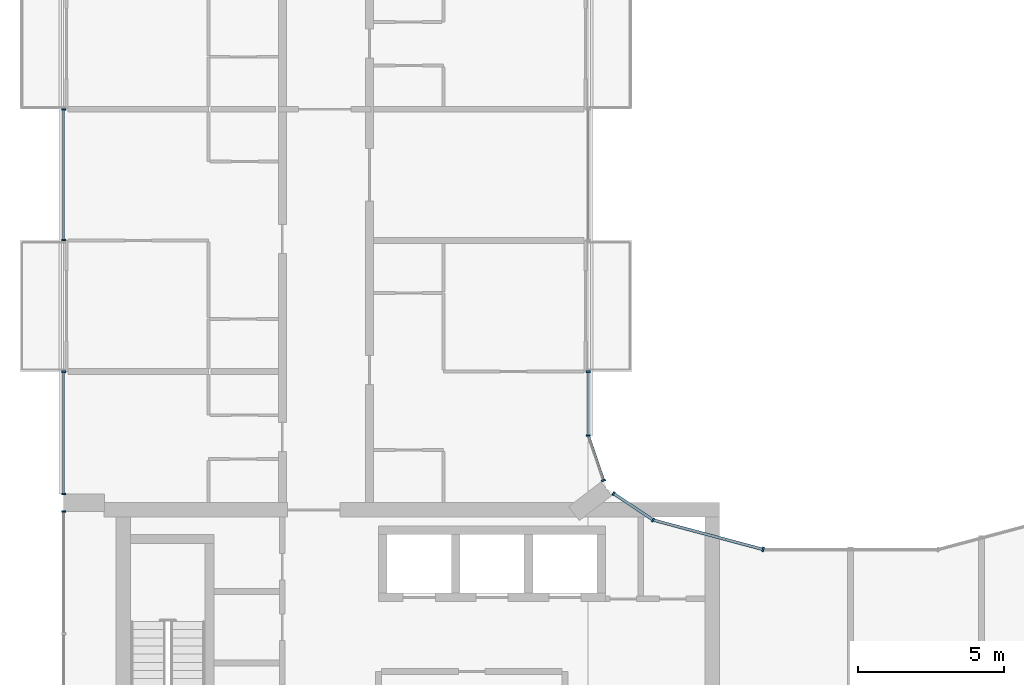
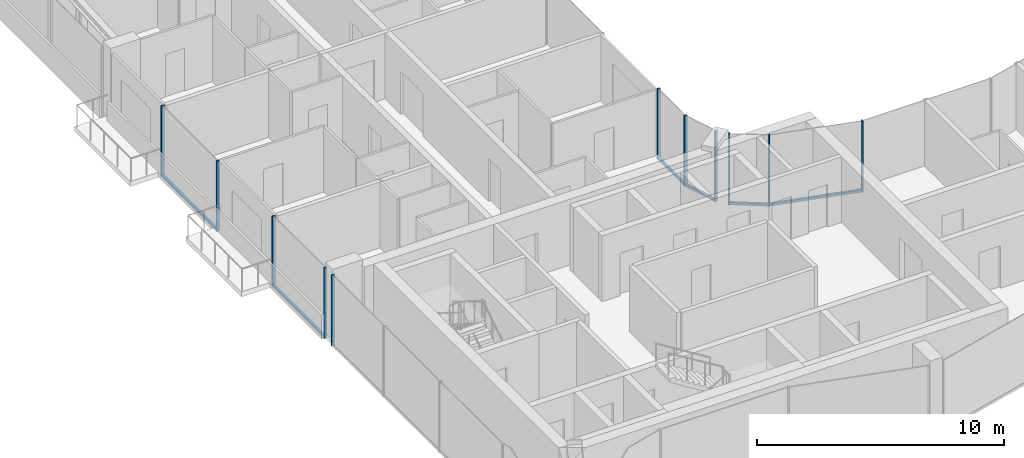
# One storey, part 4 of 17: 17 members, 7 elements without a shape of their own.
"""IFC4 building model written with IfcOpenShell, lengths in metres."""

from ifc_helpers import new_model, si_unit, direction, frame, origin, origin_2d, place, context, subcontext, project, spatial, rectangle, extrude, material, layer, layer_set, material_profile, profile_set, type_object, element, aggregate, save


model = new_model("IFC4")

# Units and contexts
model_context = context("Model", 3, precision=1e-05, world=origin(), true_north=direction((0.0, 1.0)))
body_context = subcontext(model_context, "Body", "Model", "MODEL_VIEW")
ifc_project = project(units=[si_unit("LENGTHUNIT", "METRE"), si_unit("AREAUNIT", "SQUARE_METRE"), si_unit("VOLUMEUNIT", "CUBIC_METRE"), si_unit("PLANEANGLEUNIT", "RADIAN"), si_unit("MASSUNIT", "GRAM", prefix="KILO")], contexts=[model_context])

# Site, building, storey
site_placement = place(None, origin())
site = spatial("IfcSite", under=ifc_project, at=site_placement, CompositionType="ELEMENT")
building_placement = place(site_placement, origin())
building = spatial("IfcBuilding", under=site, at=building_placement, Name="Plateau Cross Towers", CompositionType="ELEMENT")
storey_placement = place(building_placement, frame((0.0, 0.0, 222.39990234375)))
storey = spatial("IfcBuildingStorey", under=building, at=storey_placement, Name="L58", CompositionType="ELEMENT", Elevation=222.39990234375)

# Curtain wall, members
ifc_material_1 = material(Name="Dark low-iron glass", Category="glass")
ifc_layer_1 = layer(ifc_material_1, 0.239990234375)
ifc_layer_set_1 = layer_set([ifc_layer_1], Name="Dark low-iron glass")
curtain_wall_type_1 = type_object("IfcCurtainWallType", Name="Curtain wall flush unitised CW-B", PredefinedType="NOTDEFINED", material=ifc_layer_set_1)
curtain_wall_1_placement = place(storey_placement, origin())
curtain_wall_1 = element("IfcCurtainWall", 1, at=curtain_wall_1_placement, inside=storey, type_object=curtain_wall_type_1, Name="ENV/A/L58/A202_174", PredefinedType="NOTDEFINED")
ifc_material_2 = material(Name="Black anodised aluminium", Category="aluminium")
ifc_material_profile_1 = material_profile(ifc_material_2, rectangle(XDim=0.06005859375, YDim=0.139892578125, at=origin_2d()), Name="MULLION 60x140")
ifc_profile_set_1 = profile_set([ifc_material_profile_1], Name="Black anodised aluminium")
member_type_1 = type_object("IfcMemberType", Name="Mullion 60x140 flush unitised", PredefinedType="MULLION", material=ifc_profile_set_1)
member_1_placement = place(storey_placement, frame((20.223876953125, 17.404296875, -0.25), z_axis=(0.0, 0.0, 1.0), x_axis=(-0.831521253329, 0.555492938984, 0.0)))
member_1 = element("IfcMember", 2, at=member_1_placement, type_object=member_type_1, Name="CW-B mullion 1", PredefinedType="MULLION", context=body_context, shape_type="SweptSolid", body=[
    extrude(rectangle(XDim=0.06005859375, YDim=0.139892578125, at=origin_2d()), origin(), (0.0, 0.0, 1.0), 3.5),
])
member_2_placement = place(storey_placement, frame((18.86962890625, 18.30908203125, -0.25), z_axis=(0.0, 0.0, 1.0), x_axis=(-0.831521253329, 0.555492938984, 0.0)))
member_2 = element("IfcMember", 3, at=member_2_placement, type_object=member_type_1, Name="CW-B mullion 2", PredefinedType="MULLION", context=body_context, shape_type="SweptSolid", body=[
    extrude(rectangle(XDim=0.06005859375, YDim=0.139892578125, at=origin_2d()), origin(), (0.0, 0.0, 1.0), 3.5),
])

# Curtain wall, member
curtain_wall_2_placement = place(storey_placement, origin())
curtain_wall_2 = element("IfcCurtainWall", 4, at=curtain_wall_2_placement, inside=storey, type_object=curtain_wall_type_1, Name="ENV/A/L58/A185_188", PredefinedType="NOTDEFINED")
member_3_placement = place(storey_placement, frame((18.523681640625, 18.760009765625, -0.25), z_axis=(0.0, 0.0, 1.0), x_axis=(-0.321469161574, 0.94692004845, 0.0)))
member_3 = element("IfcMember", 5, at=member_3_placement, type_object=member_type_1, Name="CW-B mullion 1", PredefinedType="MULLION", context=body_context, shape_type="SweptSolid", body=[
    extrude(rectangle(XDim=0.06005859375, YDim=0.139892578125, at=origin_2d()), origin(), (0.0, 0.0, 1.0), 3.5),
])

# Curtain wall, members
curtain_wall_3_placement = place(storey_placement, origin())
curtain_wall_3 = element("IfcCurtainWall", 6, at=curtain_wall_3_placement, inside=storey, type_object=curtain_wall_type_1, Name="ENV/A/L58/A180_203", PredefinedType="NOTDEFINED")
member_4_placement = place(storey_placement, frame((18.0, 20.30224609375, -0.25), z_axis=(0.0, 0.0, 1.0), x_axis=(0.0, 1.0, 0.0)))
member_4 = element("IfcMember", 7, at=member_4_placement, type_object=member_type_1, Name="CW-B mullion 1", PredefinedType="MULLION", context=body_context, shape_type="SweptSolid", body=[
    extrude(rectangle(XDim=0.06005859375, YDim=0.139892578125, at=origin_2d()), origin(), (0.0, 0.0, 1.0), 3.5),
])
member_5_placement = place(storey_placement, frame((18.0, 22.489990234375, -0.25), z_axis=(0.0, 0.0, 1.0), x_axis=(0.0, 1.0, 0.0)))
member_5 = element("IfcMember", 8, at=member_5_placement, type_object=member_type_1, Name="CW-B mullion 2", PredefinedType="MULLION", context=body_context, shape_type="SweptSolid", body=[
    extrude(rectangle(XDim=0.06005859375, YDim=0.139892578125, at=origin_2d()), origin(), (0.0, 0.0, 1.0), 3.5),
])

curtain_wall_4_placement = place(storey_placement, origin())
curtain_wall_4 = element("IfcCurtainWall", 9, at=curtain_wall_4_placement, inside=storey, type_object=curtain_wall_type_1, Name="ENV/A/L58/A0_315", PredefinedType="NOTDEFINED")
member_6_placement = place(storey_placement, frame((0.0, 31.489990234375, -0.25), z_axis=(0.0, 0.0, 1.0), x_axis=(0.0, -1.0, 0.0)))
member_6 = element("IfcMember", 10, at=member_6_placement, type_object=member_type_1, Name="CW-B mullion 1", PredefinedType="MULLION", context=body_context, shape_type="SweptSolid", body=[
    extrude(rectangle(XDim=0.06005859375, YDim=0.139892578125, at=origin_2d()), origin(), (0.0, 0.0, 1.0), 3.5),
])
member_7_placement = place(storey_placement, frame((0.0, 27.010009765625, -0.25), z_axis=(0.0, 0.0, 1.0), x_axis=(0.0, -1.0, 0.0)))
member_7 = element("IfcMember", 11, at=member_7_placement, type_object=member_type_1, Name="CW-B mullion 2", PredefinedType="MULLION", context=body_context, shape_type="SweptSolid", body=[
    extrude(rectangle(XDim=0.06005859375, YDim=0.139892578125, at=origin_2d()), origin(), (0.0, 0.0, 1.0), 3.5),
])

curtain_wall_5_placement = place(storey_placement, origin())
curtain_wall_5 = element("IfcCurtainWall", 12, at=curtain_wall_5_placement, inside=storey, type_object=curtain_wall_type_1, Name="ENV/A/L58/A0_225", PredefinedType="NOTDEFINED")
member_8_placement = place(storey_placement, frame((0.0, 22.489990234375, -0.25), z_axis=(0.0, 0.0, 1.0), x_axis=(0.0, -1.0, 0.0)))
member_8 = element("IfcMember", 13, at=member_8_placement, type_object=member_type_1, Name="CW-B mullion 1", PredefinedType="MULLION", context=body_context, shape_type="SweptSolid", body=[
    extrude(rectangle(XDim=0.06005859375, YDim=0.139892578125, at=origin_2d()), origin(), (0.0, 0.0, 1.0), 3.5),
])
member_9_placement = place(storey_placement, frame((0.0, 18.300048828125, -0.25), z_axis=(0.0, 0.0, 1.0), x_axis=(0.0, -1.0, 0.0)))
member_9 = element("IfcMember", 14, at=member_9_placement, type_object=member_type_1, Name="CW-B mullion 2", PredefinedType="MULLION", context=body_context, shape_type="SweptSolid", body=[
    extrude(rectangle(XDim=0.06005859375, YDim=0.139892578125, at=origin_2d()), origin(), (0.0, 0.0, 1.0), 3.5),
])

# Curtain wall, member
curtain_wall_6_placement = place(storey_placement, origin())
curtain_wall_6 = element("IfcCurtainWall", 15, at=curtain_wall_6_placement, inside=storey, type_object=curtain_wall_type_1, Name="ENV/A/L58/A0_177", PredefinedType="NOTDEFINED")
member_10_placement = place(storey_placement, frame((0.0, 17.699951171875, -0.25), z_axis=(0.0, 0.0, 1.0), x_axis=(0.0, -1.0, 0.0)))
member_10 = element("IfcMember", 16, at=member_10_placement, type_object=member_type_1, Name="CW-B mullion 1", PredefinedType="MULLION", context=body_context, shape_type="SweptSolid", body=[
    extrude(rectangle(XDim=0.06005859375, YDim=0.139892578125, at=origin_2d()), origin(), (0.0, 0.0, 1.0), 3.5),
])
aggregate(curtain_wall_6, [member_10])

ifc_layer_2 = layer(ifc_material_1, 0.260009765625)
ifc_layer_set_2 = layer_set([ifc_layer_2], Name="Dark low-iron glass")
curtain_wall_type_2 = type_object("IfcCurtainWallType", Name="Curtain wall fluted unitised CW-A", PredefinedType="NOTDEFINED", material=ifc_layer_set_2)
curtain_wall_7_placement = place(storey_placement, origin())
curtain_wall_7 = element("IfcCurtainWall", 17, at=curtain_wall_7_placement, inside=storey, type_object=curtain_wall_type_2, Name="ENV/A/L58/A240_164", PredefinedType="NOTDEFINED")
ifc_material_profile_2 = material_profile(ifc_material_2, rectangle(XDim=0.06005859375, YDim=0.159912109375, at=origin_2d()), Name="MULLION 60x160")
ifc_profile_set_2 = profile_set([ifc_material_profile_2], Name="Black anodised aluminium")
member_type_2 = type_object("IfcMemberType", Name="Mullion 60x160 fluted unitised", PredefinedType="MULLION", material=ifc_profile_set_2)
member_11_placement = place(storey_placement, frame((24.0, 16.39306640625, -0.25), z_axis=(0.0, 0.0, 1.0), x_axis=(-0.965957995816, 0.258698956933, 0.0)))
member_11 = element("IfcMember", 18, at=member_11_placement, type_object=member_type_2, Name="CW-A mullion 1", PredefinedType="MULLION", context=body_context, shape_type="SweptSolid", body=[
    extrude(rectangle(XDim=0.06005859375, YDim=0.159912109375, at=origin_2d()), origin(), (0.0, 0.0, 1.0), 3.5),
])

# Member
ifc_material_profile_3 = material_profile(ifc_material_2, rectangle(XDim=0.10009765625, YDim=0.1201171875, at=origin_2d()), Name="TRANSOM 100x120")
ifc_profile_set_3 = profile_set([ifc_material_profile_3], Name="Black anodised aluminium")
member_type_3 = type_object("IfcMemberType", Name="Transom 100x120 flush unitised", PredefinedType="USERDEFINED", material=ifc_profile_set_3)
member_12_placement = place(storey_placement, frame((20.223876953125, 17.404296875, -0.18994140625), z_axis=(-0.831496402487, 0.555530136582, 0.0), x_axis=(-0.555530136582, -0.831496402487, 0.0)))
member_12 = element("IfcMember", 19, at=member_12_placement, type_object=member_type_3, Name="CW-B transom", ObjectType="TRANSOM", PredefinedType="USERDEFINED", context=body_context, shape_type="SweptSolid", body=[
    extrude(rectangle(XDim=0.10009765625, YDim=0.1201171875, at=origin_2d()), origin(), (0.0, 0.0, 1.0), 1.628662109375),
])

aggregate(curtain_wall_1, [member_1, member_2, member_12])

member_13_placement = place(storey_placement, frame((18.523681640625, 18.760009765625, -0.18994140625), z_axis=(-0.321529174838, 0.946899672472, 0.0), x_axis=(-0.946899672472, -0.321529174838, 0.0)))
member_13 = element("IfcMember", 20, at=member_13_placement, type_object=member_type_3, Name="CW-B transom", ObjectType="TRANSOM", PredefinedType="USERDEFINED", context=body_context, shape_type="SweptSolid", body=[
    extrude(rectangle(XDim=0.10009765625, YDim=0.1201171875, at=origin_2d()), origin(), (0.0, 0.0, 1.0), 1.628662109375),
])

aggregate(curtain_wall_2, [member_3, member_13])

member_14_placement = place(storey_placement, frame((18.0, 20.30224609375, -0.18994140625), z_axis=(0.0, 1.0, 0.0), x_axis=(-1.0, 0.0, 0.0)))
member_14 = element("IfcMember", 21, at=member_14_placement, type_object=member_type_3, Name="CW-B transom", ObjectType="TRANSOM", PredefinedType="USERDEFINED", context=body_context, shape_type="SweptSolid", body=[
    extrude(rectangle(XDim=0.10009765625, YDim=0.1201171875, at=origin_2d()), origin(), (0.0, 0.0, 1.0), 2.187744140625),
])

aggregate(curtain_wall_3, [member_4, member_5, member_14])

member_15_placement = place(storey_placement, frame((0.0, 31.489990234375, -0.18994140625), z_axis=(0.0, -1.0, 0.0), x_axis=(1.0, 0.0, 0.0)))
member_15 = element("IfcMember", 22, at=member_15_placement, type_object=member_type_3, Name="CW-B transom", ObjectType="TRANSOM", PredefinedType="USERDEFINED", context=body_context, shape_type="SweptSolid", body=[
    extrude(rectangle(XDim=0.10009765625, YDim=0.1201171875, at=origin_2d()), origin(), (0.0, 0.0, 1.0), 4.47998046875),
])

aggregate(curtain_wall_4, [member_6, member_7, member_15])

member_16_placement = place(storey_placement, frame((0.0, 22.489990234375, -0.18994140625), z_axis=(0.0, -1.0, 0.0), x_axis=(1.0, 0.0, 0.0)))
member_16 = element("IfcMember", 23, at=member_16_placement, type_object=member_type_3, Name="CW-B transom", ObjectType="TRANSOM", PredefinedType="USERDEFINED", context=body_context, shape_type="SweptSolid", body=[
    extrude(rectangle(XDim=0.10009765625, YDim=0.1201171875, at=origin_2d()), origin(), (0.0, 0.0, 1.0), 4.18994140625),
])

aggregate(curtain_wall_5, [member_8, member_9, member_16])

ifc_material_profile_4 = material_profile(ifc_material_2, rectangle(XDim=0.10009765625, YDim=0.1201171875, at=origin_2d()), Name="TRANSOM 100x120")
ifc_profile_set_4 = profile_set([ifc_material_profile_4], Name="Black anodised aluminium")
member_type_4 = type_object("IfcMemberType", Name="Transom 100x120 fluted unitised", PredefinedType="USERDEFINED", material=ifc_profile_set_4)
member_17_placement = place(storey_placement, frame((24.0, 16.39306640625, -0.18994140625), z_axis=(-0.965962822393, 0.25868093427, 0.0), x_axis=(-0.25868093427, -0.965962822393, 0.0)))
member_17 = element("IfcMember", 24, at=member_17_placement, type_object=member_type_4, Name="CW-A transom", ObjectType="TRANSOM", PredefinedType="USERDEFINED", context=body_context, shape_type="SweptSolid", body=[
    extrude(rectangle(XDim=0.10009765625, YDim=0.1201171875, at=origin_2d()), origin(), (0.0, 0.0, 1.0), 3.9091796875),
])

aggregate(curtain_wall_7, [member_11, member_17])

save(model, "model.ifc")
